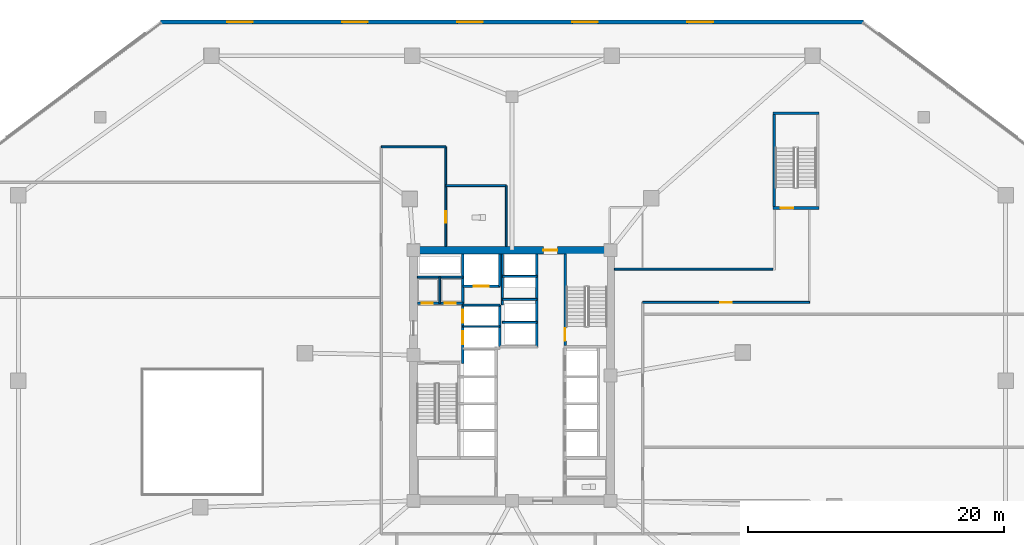
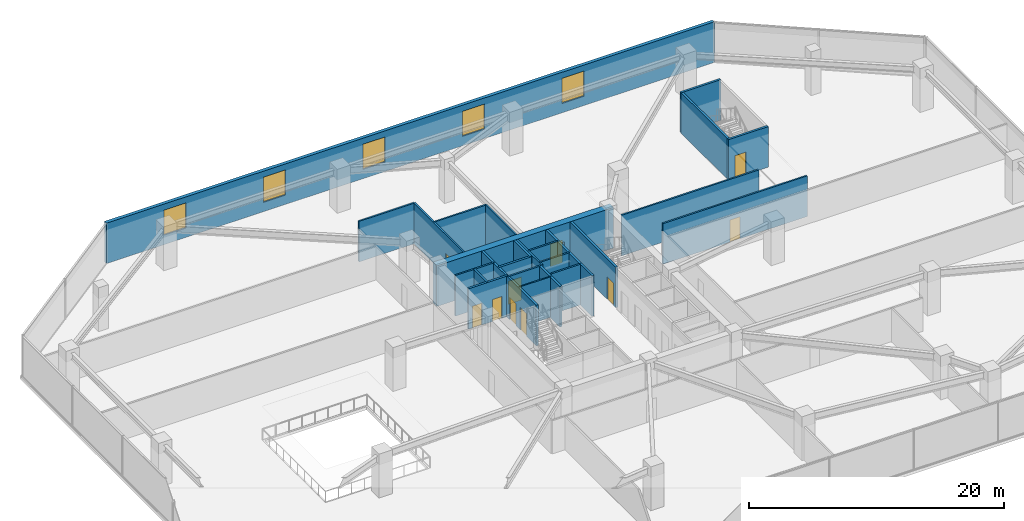
# One storey, part 12 of 22: 26 walls, 10 doors, 5 windows, 15 openings.
"""IFC4 building model written with IfcOpenShell, lengths in metres."""

import ifcopenshell
import ifcopenshell.guid

model = None  # the IFC model being written
_history = None  # IfcOwnerHistory: only IFC2X3 demands one
_inside = {}  # id of a spatial element -> (the spatial element, [elements in it])
_under = {}  # id of a project, library or spatial element -> (it, [spatial elements below it])
_declared = {}  # id of a project -> (the project, [libraries it declares])
_typed = {}  # id of a type object -> (the type object, [elements of that type])
_made_of = {}  # id of a material, layer set ... -> (it, [elements and type objects made of it])


def new_model(schema):
    """Start an empty IFC model of exactly this schema.

    Asked for "IFC4X3", IfcOpenShell would pick the latest addendum, in which some entities
    have other attributes; the version numbers below select the first issue.
    IFC2X3 requires an IfcOwnerHistory on every rooted entity: one is made here for all.
    """
    global model, _history
    if schema == "IFC4X3":
        model = ifcopenshell.file(schema_version=(4, 3, 0, 0))
    else:
        model = ifcopenshell.file(schema=schema)
    _inside.clear()
    _under.clear()
    _declared.clear()
    _typed.clear()
    _made_of.clear()
    _history = None
    if model.schema == "IFC2X3":
        org = make("IfcOrganization", Name="unknown")
        user = make(
            "IfcPersonAndOrganization",
            ThePerson=make("IfcPerson", FamilyName="unknown"),
            TheOrganization=org,
        )
        app = make(
            "IfcApplication",
            ApplicationDeveloper=org,
            Version="unknown",
            ApplicationFullName="unknown",
            ApplicationIdentifier="unknown",
        )
        _history = make(
            "IfcOwnerHistory",
            OwningUser=user,
            OwningApplication=app,
            ChangeAction="ADDED",
            CreationDate=0,
        )
    return model


def make(cls, **values):
    """One entity of the class cls with the attributes given. An attribute that is None is left unset."""
    return model.create_entity(
        cls, **{name: value for name, value in values.items() if value is not None}
    )


def rooted(cls, **values):
    """An entity with a GlobalId (a new one), such as an element, a storey or a relation."""
    return make(cls, GlobalId=ifcopenshell.guid.new(), OwnerHistory=_history, **values)


def si_unit(unit_type, name, prefix=None):
    """IfcSIUnit, for example si_unit("LENGTHUNIT", "METRE", prefix="MILLI")."""
    return make("IfcSIUnit", UnitType=unit_type, Prefix=prefix, Name=name)


def assignment(units):
    """IfcUnitAssignment: the units of a project."""
    return None if units is None else make("IfcUnitAssignment", Units=units)


def point(xyz):
    """IfcCartesianPoint."""
    return None if xyz is None else make("IfcCartesianPoint", Coordinates=xyz)


def direction(xyz):
    """IfcDirection."""
    return None if xyz is None else make("IfcDirection", DirectionRatios=xyz)


def frame(location, z_axis=None, x_axis=None):
    """IfcAxis2Placement3D, a coordinate frame: its origin and axes. An axis left out is left unset."""
    return make(
        "IfcAxis2Placement3D",
        Location=point(location),
        Axis=direction(z_axis),
        RefDirection=direction(x_axis),
    )


def frame_2d(location, x_axis=None):
    """IfcAxis2Placement2D, a coordinate frame in the plane: its origin and x axis."""
    return make(
        "IfcAxis2Placement2D", Location=point(location), RefDirection=direction(x_axis)
    )


def origin():
    """The frame at (0, 0, 0) with its axes left unset."""
    return frame((0.0, 0.0, 0.0))


def place(relative_to, where):
    """IfcLocalPlacement: puts the frame where relative to a parent placement (None: the world)."""
    return make(
        "IfcLocalPlacement", PlacementRelTo=relative_to, RelativePlacement=where
    )


def context(
    kind, dimensions, precision=None, world=None, true_north=None, identifier=None
):
    """IfcGeometricRepresentationContext, for example the 3D "Model" context."""
    return make(
        "IfcGeometricRepresentationContext",
        ContextIdentifier=identifier,
        ContextType=kind,
        CoordinateSpaceDimension=dimensions,
        Precision=precision,
        WorldCoordinateSystem=world,
        TrueNorth=true_north,
    )


def subcontext(parent, identifier, kind, view, scale=None):
    """IfcGeometricRepresentationSubContext, for example "Body" below "Model"."""
    return make(
        "IfcGeometricRepresentationSubContext",
        ContextIdentifier=identifier,
        ContextType=kind,
        ParentContext=parent,
        TargetScale=scale,
        TargetView=view,
    )


def project(units=None, contexts=None):
    """IfcProject with its units and contexts."""
    return rooted(
        "IfcProject",
        Name="project",
        RepresentationContexts=contexts,
        UnitsInContext=assignment(units),
    )


def spatial(cls, under=None, at=None, **own):
    """A site, building, storey or space (cls), placed at a placement, below another one or the project."""
    s = rooted(cls, ObjectPlacement=at, **own)
    if under is not None:
        _under.setdefault(under.id(), (under, []))[1].append(s)
    return s


def profile(cls, at=None, kind="AREA", **sizes):
    """A parametric profile (cls). Its sizes go by their IFC names, for example OverallWidth=200.0."""
    return make(cls, ProfileType=kind, Position=at, **sizes)


def rectangle(**sizes):
    """IfcRectangleProfileDef."""
    return profile("IfcRectangleProfileDef", **sizes)


def extrude(swept, where, along, depth):
    """IfcExtrudedAreaSolid: the profile swept, set in the frame where, extruded along a direction by depth."""
    return make(
        "IfcExtrudedAreaSolid",
        SweptArea=swept,
        Position=where,
        ExtrudedDirection=direction(along),
        Depth=depth,
    )


def shape(context_of_items, identifier, shape_type, items):
    """IfcShapeRepresentation: the items that make up one representation, for example the "Body"."""
    return make(
        "IfcShapeRepresentation",
        ContextOfItems=context_of_items,
        RepresentationIdentifier=identifier,
        RepresentationType=shape_type,
        Items=items,
    )


def material(Name=None, Category=None):
    """IfcMaterial."""
    return make("IfcMaterial", Name=Name, Category=Category)


def layer(
    of_material, thickness, ventilated=None, Name=None, Category=None, Priority=None
):
    """IfcMaterialLayer: one layer of a wall or slab, of a material (None: an air gap)."""
    return make(
        "IfcMaterialLayer",
        Material=of_material,
        LayerThickness=thickness,
        IsVentilated=ventilated,
        Name=Name,
        Category=Category,
        Priority=Priority,
    )


def layer_set(layers, Name=None):
    """IfcMaterialLayerSet."""
    return make("IfcMaterialLayerSet", MaterialLayers=layers, LayerSetName=Name)


def made_of(thing, what):
    """Note that an element or type object is made of a material, layer set ...; save() writes the relation."""
    if what is not None:
        _made_of.setdefault(what.id(), (what, []))[1].append(thing)
    return thing


def type_object(cls, material=None, **own):
    """A type object (cls), such as IfcWallType, which elements share."""
    return made_of(rooted(cls, **own), material)


def element(
    cls,
    number,
    at=None,
    inside=None,
    cuts=None,
    type_object=None,
    material=None,
    context=None,
    identifier="Body",
    shape_type=None,
    held_by="IfcProductDefinitionShape",
    body=None,
    shapes=None,
    **own,
):
    """One element of the class cls, such as IfcWall. Its Tag is "e" and its number.

    at: its placement. inside: the storey or other place that contains it. cuts: it is an
    opening in that element (IfcRelVoidsElement). A single representation is given by context,
    identifier, shape_type and body (its items); several are given by shapes. held_by: the class
    of the entity that holds the representations. save() writes the other relations.
    """
    e = rooted(cls, Tag="e%d" % number, ObjectPlacement=at, **own)
    if body is not None:
        shapes = [shape(context, identifier, shape_type, body)]
    if shapes is not None:
        e.Representation = make(held_by, Representations=shapes)
    if inside is not None:
        _inside.setdefault(inside.id(), (inside, []))[1].append(e)
    if cuts is not None:
        rooted(
            "IfcRelVoidsElement", RelatingBuildingElement=cuts, RelatedOpeningElement=e
        )
    if type_object is not None:
        _typed.setdefault(type_object.id(), (type_object, []))[1].append(e)
    return made_of(e, material)


def fill(opening, filler):
    """IfcRelFillsElement: the door or window that sits in an opening."""
    return rooted(
        "IfcRelFillsElement",
        RelatingOpeningElement=opening,
        RelatedBuildingElement=filler,
    )


def aggregate(whole, parts):
    """IfcRelAggregates: a whole, such as a stair, and the parts it consists of."""
    return rooted("IfcRelAggregates", RelatingObject=whole, RelatedObjects=parts)


def save(model, path):
    """Write the relations noted so far, then the file.

    IfcRelAggregates (storeys below a building ...), IfcRelContainedInSpatialStructure (elements
    in a storey), IfcRelDefinesByType, IfcRelAssociatesMaterial and IfcRelDeclares: one each for
    every whole, place, type object, material and project.
    """
    for whole, parts in _under.values():
        aggregate(whole, parts)
    for where, things in _inside.values():
        rooted(
            "IfcRelContainedInSpatialStructure",
            RelatedElements=things,
            RelatingStructure=where,
        )
    for kind, things in _typed.values():
        rooted("IfcRelDefinesByType", RelatedObjects=things, RelatingType=kind)
    for what, things in _made_of.values():
        rooted("IfcRelAssociatesMaterial", RelatedObjects=things, RelatingMaterial=what)
    for by, libraries in _declared.values():
        rooted("IfcRelDeclares", RelatingContext=by, RelatedDefinitions=libraries)
    model.write(path)


model = new_model("IFC4")

# Units and contexts
model_context = context("Model", 3, precision=1e-05, world=origin(), true_north=direction((0.0, 1.0)))
body_context = subcontext(model_context, "Body", "Model", "MODEL_VIEW")
ifc_project = project(units=[si_unit("LENGTHUNIT", "METRE"), si_unit("AREAUNIT", "SQUARE_METRE"), si_unit("VOLUMEUNIT", "CUBIC_METRE"), si_unit("PLANEANGLEUNIT", "RADIAN"), si_unit("MASSUNIT", "GRAM", prefix="KILO")], contexts=[model_context])

# Site, building, storey
site_placement = place(None, origin())
site = spatial("IfcSite", under=ifc_project, at=site_placement, CompositionType="ELEMENT")
building_placement = place(site_placement, origin())
building = spatial("IfcBuilding", under=site, at=building_placement, Name="Savorim Split Tower", CompositionType="ELEMENT")
storey_placement = place(building_placement, frame((0.0, 0.0, 17.60009765625)))
storey = spatial("IfcBuildingStorey", under=building, at=storey_placement, Name="L04", CompositionType="ELEMENT", Elevation=17.60009765625)

# Wall, opening, door
ifc_material_1 = material(Name="Concrete C60/75", Category="concrete")
ifc_layer_1 = layer(ifc_material_1, 0.60009765625)
ifc_layer_set_1 = layer_set([ifc_layer_1], Name="WAL-COR-SH600")
wall_type_1 = type_object("IfcWallType", Name="WAL-COR-SH600", PredefinedType="SHEAR", material=ifc_layer_set_1)
wall_1_placement = place(storey_placement, frame((8.0, 10.199951171875, 0.0), z_axis=(0.0, 0.0, 1.0), x_axis=(-1.0, 0.0, 0.0)))
wall_1 = element("IfcWall", 1, at=wall_1_placement, inside=storey, type_object=wall_type_1, Name="L04 Offset Core North Shear Wall", PredefinedType="SHEAR", context=body_context, shape_type="SweptSolid", body=[
    extrude(rectangle(XDim=16.0, YDim=0.60009765625, at=frame_2d((8.0, 0.0))), origin(), (0.0, 0.0, 1.0), 3.8798828125),
])
opening_1_placement = place(wall_1_placement, frame((4.449951171875, 0.0, 0.0)))
opening_1 = element("IfcOpeningElement", 2, at=opening_1_placement, cuts=wall_1, Name="Opening DI-03", PredefinedType="OPENING", context=body_context, shape_type="SweptSolid", body=[
    extrude(rectangle(XDim=1.10009765625, YDim=2.14990234375, at=frame_2d((0.550048828125, 1.074951171875))), frame((0.0, 0.31005859375, 0.0), z_axis=(0.0, -1.0, 0.0), x_axis=(1.0, 0.0, 0.0)), (0.0, 0.0, 1.0), 0.6201171875),
])
ifc_material_2 = material(Name="Timber Fire Door Leaf", Category="wood")
door_type_1 = type_object("IfcDoorType", Name="DOR-FIR-1100", OperationType="NOTDEFINED", PredefinedType="DOOR", material=ifc_material_2)
door_1_placement = place(opening_1_placement, origin())
door_1 = element("IfcDoor", 3, at=door_1_placement, inside=storey, type_object=door_type_1, Name="DOR-L04-COR-NLOB - L04 North Corridor Lobby Fire Door", OperationType="SINGLE_SWING_LEFT", OverallHeight=2.14990234375, OverallWidth=1.10009765625, PredefinedType="DOOR", context=body_context, shape_type="SweptSolid", body=[
    extrude(rectangle(XDim=1.10009765625, YDim=2.14990234375, at=frame_2d((0.550048828125, 1.074951171875))), frame((0.0, 0.02490234375, 0.0), z_axis=(0.0, -1.0, 0.0), x_axis=(1.0, 0.0, 0.0)), (0.0, 0.0, 1.0), 0.050048828125),
])
fill(opening_1, door_1)

# Wall, openings, windows
ifc_material_3 = material(Name="Concrete C50/60", Category="concrete")
ifc_layer_2 = layer(ifc_material_3, 0.300048828125)
ifc_layer_set_2 = layer_set([ifc_layer_2], Name="WAL-EXT-POD300")
wall_type_2 = type_object("IfcWallType", Name="WAL-EXT-POD300", PredefinedType="SOLIDWALL", material=ifc_layer_set_2)
wall_2_placement = place(storey_placement, frame((-27.47998046875, 28.0400390625, 0.0), z_axis=(0.0, 0.0, 1.0), x_axis=(1.0, 0.0, 0.0)))
wall_2 = element("IfcWall", 4, at=wall_2_placement, inside=storey, type_object=wall_type_2, Name="L04 North Podium Window Wall", PredefinedType="SOLIDWALL", context=body_context, shape_type="SweptSolid", body=[
    extrude(rectangle(XDim=54.9599609375, YDim=0.300048828125, at=frame_2d((27.47998046875, 0.0))), origin(), (0.0, 0.0, 1.0), 3.8798828125),
])
opening_2_placement = place(wall_2_placement, frame((5.199951171875, 0.0, 0.89990234375)))
opening_2 = element("IfcOpeningElement", 5, at=opening_2_placement, cuts=wall_2, Name="Opening WN-02", PredefinedType="OPENING", context=body_context, shape_type="SweptSolid", body=[
    extrude(rectangle(XDim=2.0, YDim=2.39990234375, at=frame_2d((1.0, 1.199951171875))), frame((0.0, 0.159912109375, 0.0), z_axis=(0.0, -1.0, 0.0), x_axis=(1.0, 0.0, 0.0)), (0.0, 0.0, 1.0), 0.320068359375),
])
opening_3_placement = place(wall_2_placement, frame((14.199951171875, 0.0, 0.89990234375)))
opening_3 = element("IfcOpeningElement", 6, at=opening_3_placement, cuts=wall_2, Name="Opening WN-02", PredefinedType="OPENING", context=body_context, shape_type="SweptSolid", body=[
    extrude(rectangle(XDim=2.0, YDim=2.39990234375, at=frame_2d((1.0, 1.199951171875))), frame((0.0, 0.159912109375, 0.0), z_axis=(0.0, -1.0, 0.0), x_axis=(1.0, 0.0, 0.0)), (0.0, 0.0, 1.0), 0.320068359375),
])
opening_4_placement = place(wall_2_placement, frame((23.199951171875, 0.0, 0.89990234375)))
opening_4 = element("IfcOpeningElement", 7, at=opening_4_placement, cuts=wall_2, Name="Opening WN-02", PredefinedType="OPENING", context=body_context, shape_type="SweptSolid", body=[
    extrude(rectangle(XDim=2.0, YDim=2.39990234375, at=frame_2d((1.0, 1.199951171875))), frame((0.0, 0.159912109375, 0.0), z_axis=(0.0, -1.0, 0.0), x_axis=(1.0, 0.0, 0.0)), (0.0, 0.0, 1.0), 0.320068359375),
])
opening_5_placement = place(wall_2_placement, frame((32.199951171875, 0.0, 0.89990234375)))
opening_5 = element("IfcOpeningElement", 8, at=opening_5_placement, cuts=wall_2, Name="Opening WN-02", PredefinedType="OPENING", context=body_context, shape_type="SweptSolid", body=[
    extrude(rectangle(XDim=2.0, YDim=2.39990234375, at=frame_2d((1.0, 1.199951171875))), frame((0.0, 0.159912109375, 0.0), z_axis=(0.0, -1.0, 0.0), x_axis=(1.0, 0.0, 0.0)), (0.0, 0.0, 1.0), 0.320068359375),
])
opening_6_placement = place(wall_2_placement, frame((41.199951171875, 0.0, 0.89990234375)))
opening_6 = element("IfcOpeningElement", 9, at=opening_6_placement, cuts=wall_2, Name="Opening WN-02", PredefinedType="OPENING", context=body_context, shape_type="SweptSolid", body=[
    extrude(rectangle(XDim=2.0, YDim=2.39990234375, at=frame_2d((1.0, 1.199951171875))), frame((0.0, 0.159912109375, 0.0), z_axis=(0.0, -1.0, 0.0), x_axis=(1.0, 0.0, 0.0)), (0.0, 0.0, 1.0), 0.320068359375),
])
ifc_material_4 = material(Name="Low-E Operable Double Glazing", Category="glass")
window_type = type_object("IfcWindowType", Name="WIN-POD-2000x2400", PartitioningType="DOUBLE_PANEL_VERTICAL", PredefinedType="WINDOW", material=ifc_material_4)
window_1_placement = place(opening_2_placement, origin())
window_1 = element("IfcWindow", 10, at=window_1_placement, inside=storey, type_object=window_type, Name="L04 North Podium Operable Window 1", OverallHeight=2.39990234375, OverallWidth=2.0, PartitioningType="SINGLE_PANEL", PredefinedType="WINDOW", context=body_context, shape_type="SweptSolid", body=[
    extrude(rectangle(XDim=2.0, YDim=2.39990234375, at=frame_2d((1.0, 1.199951171875))), frame((0.0, 0.030029296875, 0.0), z_axis=(0.0, -1.0, 0.0), x_axis=(1.0, 0.0, 0.0)), (0.0, 0.0, 1.0), 0.06005859375),
])
fill(opening_2, window_1)
window_2_placement = place(opening_3_placement, origin())
window_2 = element("IfcWindow", 11, at=window_2_placement, inside=storey, type_object=window_type, Name="L04 North Podium Operable Window 2", OverallHeight=2.39990234375, OverallWidth=2.0, PartitioningType="SINGLE_PANEL", PredefinedType="WINDOW", context=body_context, shape_type="SweptSolid", body=[
    extrude(rectangle(XDim=2.0, YDim=2.39990234375, at=frame_2d((1.0, 1.199951171875))), frame((0.0, 0.030029296875, 0.0), z_axis=(0.0, -1.0, 0.0), x_axis=(1.0, 0.0, 0.0)), (0.0, 0.0, 1.0), 0.06005859375),
])
fill(opening_3, window_2)
window_3_placement = place(opening_4_placement, origin())
window_3 = element("IfcWindow", 12, at=window_3_placement, inside=storey, type_object=window_type, Name="L04 North Podium Operable Window 3", OverallHeight=2.39990234375, OverallWidth=2.0, PartitioningType="SINGLE_PANEL", PredefinedType="WINDOW", context=body_context, shape_type="SweptSolid", body=[
    extrude(rectangle(XDim=2.0, YDim=2.39990234375, at=frame_2d((1.0, 1.199951171875))), frame((0.0, 0.030029296875, 0.0), z_axis=(0.0, -1.0, 0.0), x_axis=(1.0, 0.0, 0.0)), (0.0, 0.0, 1.0), 0.06005859375),
])
fill(opening_4, window_3)
window_4_placement = place(opening_5_placement, origin())
window_4 = element("IfcWindow", 13, at=window_4_placement, inside=storey, type_object=window_type, Name="L04 North Podium Operable Window 4", OverallHeight=2.39990234375, OverallWidth=2.0, PartitioningType="SINGLE_PANEL", PredefinedType="WINDOW", context=body_context, shape_type="SweptSolid", body=[
    extrude(rectangle(XDim=2.0, YDim=2.39990234375, at=frame_2d((1.0, 1.199951171875))), frame((0.0, 0.030029296875, 0.0), z_axis=(0.0, -1.0, 0.0), x_axis=(1.0, 0.0, 0.0)), (0.0, 0.0, 1.0), 0.06005859375),
])
fill(opening_5, window_4)
window_5_placement = place(opening_6_placement, origin())
window_5 = element("IfcWindow", 14, at=window_5_placement, inside=storey, type_object=window_type, Name="L04 North Podium Operable Window 5", OverallHeight=2.39990234375, OverallWidth=2.0, PartitioningType="SINGLE_PANEL", PredefinedType="WINDOW", context=body_context, shape_type="SweptSolid", body=[
    extrude(rectangle(XDim=2.0, YDim=2.39990234375, at=frame_2d((1.0, 1.199951171875))), frame((0.0, 0.030029296875, 0.0), z_axis=(0.0, -1.0, 0.0), x_axis=(1.0, 0.0, 0.0)), (0.0, 0.0, 1.0), 0.06005859375),
])
fill(opening_6, window_5)

# Wall, openings, doors
ifc_layer_3 = layer(ifc_material_3, 0.199951171875)
ifc_layer_set_3 = layer_set([ifc_layer_3], Name="WAL-INT-RC200")
wall_type_3 = type_object("IfcWallType", Name="WAL-INT-RC200", PredefinedType="SOLIDWALL", material=ifc_layer_set_3)
wall_3_placement = place(storey_placement, frame((-3.85009765625, 1.35009765625, 0.0), z_axis=(0.0, 0.0, 1.0), x_axis=(0.0, 1.0, 0.0)))
wall_3 = element("IfcWall", 15, at=wall_3_placement, inside=storey, type_object=wall_type_3, Name="L04 Partition W-L04-CR03", PredefinedType="SOLIDWALL", context=body_context, shape_type="SweptSolid", body=[
    extrude(rectangle(XDim=8.544921875, YDim=0.199951171875, at=frame_2d((4.2724609375, 0.0))), origin(), (0.0, 0.0, 1.0), 3.8798828125),
])
opening_7_placement = place(wall_3_placement, frame((1.5, 0.0, 0.0)))
opening_7 = element("IfcOpeningElement", 16, at=opening_7_placement, cuts=wall_3, Name="Opening LD-FFL", PredefinedType="OPENING", context=body_context, shape_type="SweptSolid", body=[
    extrude(rectangle(XDim=1.0, YDim=2.14990234375, at=frame_2d((0.5, 1.074951171875))), frame((0.0, 0.10986328125, 0.0), z_axis=(0.0, -1.0, 0.0), x_axis=(1.0, 0.0, 0.0)), (0.0, 0.0, 1.0), 0.219970703125),
])
opening_8_placement = place(wall_3_placement, frame((3.179931640625, 0.0, 0.0)))
opening_8 = element("IfcOpeningElement", 17, at=opening_8_placement, cuts=wall_3, Name="Opening LD-FFL", PredefinedType="OPENING", context=body_context, shape_type="SweptSolid", body=[
    extrude(rectangle(XDim=1.0, YDim=2.14990234375, at=frame_2d((0.5, 1.074951171875))), frame((0.0, 0.10986328125, 0.0), z_axis=(0.0, -1.0, 0.0), x_axis=(1.0, 0.0, 0.0)), (0.0, 0.0, 1.0), 0.219970703125),
])
ifc_material_5 = material(Name="Charcoal Anodised Aluminium", Category="aluminium")
door_type_2 = type_object("IfcDoorType", Name="DOR-SLD-LD1000", OperationType="NOTDEFINED", PredefinedType="DOOR", material=ifc_material_5)
door_2_placement = place(opening_7_placement, origin())
door_2 = element("IfcDoor", 18, at=door_2_placement, inside=storey, type_object=door_type_2, Name="DR-L04-LD-FFL1 - L04 Firefighting Lift FFL-1 Sliding Landing Door", OperationType="DOUBLE_DOOR_SLIDING", OverallHeight=2.14990234375, OverallWidth=1.0, PredefinedType="DOOR", context=body_context, shape_type="SweptSolid", body=[
    extrude(rectangle(XDim=1.0, YDim=2.14990234375, at=frame_2d((0.5, 1.074951171875))), frame((0.0, 0.02490234375, 0.0), z_axis=(0.0, -1.0, 0.0), x_axis=(1.0, 0.0, 0.0)), (0.0, 0.0, 1.0), 0.050048828125),
])
fill(opening_7, door_2)
door_3_placement = place(opening_8_placement, origin())
door_3 = element("IfcDoor", 19, at=door_3_placement, inside=storey, type_object=door_type_2, Name="DR-L04-LD-FFL2 - L04 Firefighting Lift FFL-2 Sliding Landing Door", OperationType="DOUBLE_DOOR_SLIDING", OverallHeight=2.14990234375, OverallWidth=1.0, PredefinedType="DOOR", context=body_context, shape_type="SweptSolid", body=[
    extrude(rectangle(XDim=1.0, YDim=2.14990234375, at=frame_2d((0.5, 1.074951171875))), frame((0.0, 0.02490234375, 0.0), z_axis=(0.0, -1.0, 0.0), x_axis=(1.0, 0.0, 0.0)), (0.0, 0.0, 1.0), 0.050048828125),
])
fill(opening_8, door_3)

wall_4_placement = place(storey_placement, frame((-7.39501953125, 6.050048828125, 0.0), z_axis=(0.0, 0.0, 1.0), x_axis=(1.0, 0.0, 0.0)))
wall_4 = element("IfcWall", 20, at=wall_4_placement, inside=storey, type_object=wall_type_3, Name="L04 Partition W-L04-CR04", PredefinedType="SOLIDWALL", context=body_context, shape_type="SweptSolid", body=[
    extrude(rectangle(XDim=3.544921875, YDim=0.199951171875, at=frame_2d((1.7724609375, 0.0))), origin(), (0.0, 0.0, 1.0), 3.8798828125),
])
opening_9_placement = place(wall_4_placement, frame((0.344970703125, 0.0, 0.0)))
opening_9 = element("IfcOpeningElement", 21, at=opening_9_placement, cuts=wall_4, Name="Opening DI-12", PredefinedType="OPENING", context=body_context, shape_type="SweptSolid", body=[
    extrude(rectangle(XDim=0.85009765625, YDim=2.10009765625, at=frame_2d((0.425048828125, 1.050048828125))), frame((0.0, 0.10986328125, 0.0), z_axis=(0.0, -1.0, 0.0), x_axis=(1.0, 0.0, 0.0)), (0.0, 0.0, 1.0), 0.219970703125),
])
opening_10_placement = place(wall_4_placement, frame((2.14501953125, 0.0, 0.0)))
opening_10 = element("IfcOpeningElement", 22, at=opening_10_placement, cuts=wall_4, Name="Opening DI-12", PredefinedType="OPENING", context=body_context, shape_type="SweptSolid", body=[
    extrude(rectangle(XDim=0.85009765625, YDim=2.10009765625, at=frame_2d((0.425048828125, 1.050048828125))), frame((0.0, 0.10986328125, 0.0), z_axis=(0.0, -1.0, 0.0), x_axis=(1.0, 0.0, 0.0)), (0.0, 0.0, 1.0), 0.219970703125),
])
ifc_material_6 = material(Name="Galvanised Painted Steel Balustrade", Category="steel")
door_type_3 = type_object("IfcDoorType", Name="DOR-RIS-850", OperationType="NOTDEFINED", PredefinedType="DOOR", material=ifc_material_6)
door_4_placement = place(opening_9_placement, origin())
door_4 = element("IfcDoor", 23, at=door_4_placement, inside=storey, type_object=door_type_3, Name="DR-L04-ELR - L04 Electrical Riser Access Door", OperationType="SINGLE_SWING_RIGHT", OverallHeight=2.10009765625, OverallWidth=0.85009765625, PredefinedType="DOOR", context=body_context, shape_type="SweptSolid", body=[
    extrude(rectangle(XDim=0.85009765625, YDim=2.10009765625, at=frame_2d((0.425048828125, 1.050048828125))), frame((0.0, 0.02490234375, 0.0), z_axis=(0.0, -1.0, 0.0), x_axis=(1.0, 0.0, 0.0)), (0.0, 0.0, 1.0), 0.050048828125),
])
fill(opening_9, door_4)
door_5_placement = place(opening_10_placement, origin())
door_5 = element("IfcDoor", 24, at=door_5_placement, inside=storey, type_object=door_type_3, Name="DR-L04-TLR - L04 Telecom Riser Access Door", OperationType="SINGLE_SWING_LEFT", OverallHeight=2.10009765625, OverallWidth=0.85009765625, PredefinedType="DOOR", context=body_context, shape_type="SweptSolid", body=[
    extrude(rectangle(XDim=0.85009765625, YDim=2.10009765625, at=frame_2d((0.425048828125, 1.050048828125))), frame((0.0, 0.02490234375, 0.0), z_axis=(0.0, -1.0, 0.0), x_axis=(1.0, 0.0, 0.0)), (0.0, 0.0, 1.0), 0.050048828125),
])
fill(opening_10, door_5)

# Wall, opening, door
wall_5_placement = place(storey_placement, frame((4.14990234375, 2.75, 0.0), z_axis=(0.0, 0.0, 1.0), x_axis=(0.0, 1.0, 0.0)))
wall_5 = element("IfcWall", 25, at=wall_5_placement, inside=storey, type_object=wall_type_3, Name="L04 Structural Shaft Wall W-L04-CR07", PredefinedType="SOLIDWALL", context=body_context, shape_type="SweptSolid", body=[
    extrude(rectangle(XDim=7.14990234375, YDim=0.199951171875, at=frame_2d((3.574951171875, 0.0))), origin(), (0.0, 0.0, 1.0), 3.8798828125),
])
opening_11_placement = place(wall_5_placement, frame((0.35009765625, 0.0, 0.0)))
opening_11 = element("IfcOpeningElement", 26, at=opening_11_placement, cuts=wall_5, Name="Opening DI-04", PredefinedType="OPENING", context=body_context, shape_type="SweptSolid", body=[
    extrude(rectangle(XDim=1.0, YDim=2.14990234375, at=frame_2d((0.5, 1.074951171875))), frame((0.0, 0.10986328125, 0.0), z_axis=(0.0, -1.0, 0.0), x_axis=(1.0, 0.0, 0.0)), (0.0, 0.0, 1.0), 0.219970703125),
])
door_type_4 = type_object("IfcDoorType", Name="DOR-FIR-1000", OperationType="NOTDEFINED", PredefinedType="DOOR", material=ifc_material_2)
door_6_placement = place(opening_11_placement, origin())
door_6 = element("IfcDoor", 27, at=door_6_placement, inside=storey, type_object=door_type_4, Name="DR-L04-ST2 - L04 Stair ST-2 Enclosure Door", OperationType="SINGLE_SWING_RIGHT", OverallHeight=2.14990234375, OverallWidth=1.0, PredefinedType="DOOR", context=body_context, shape_type="SweptSolid", body=[
    extrude(rectangle(XDim=1.0, YDim=2.14990234375, at=frame_2d((0.5, 1.074951171875))), frame((0.0, 0.02490234375, 0.0), z_axis=(0.0, -1.0, 0.0), x_axis=(1.0, 0.0, 0.0)), (0.0, 0.0, 1.0), 0.050048828125),
])
fill(opening_11, door_6)

# Wall
wall_6_placement = place(storey_placement, frame((-0.949951171875, 2.64990234375, 0.0), z_axis=(0.0, 0.0, 1.0), x_axis=(0.0, 1.0, 0.0)))
element("IfcWall", 28, at=wall_6_placement, inside=storey, type_object=wall_type_3, Name="L04 Partition W-L04-FFLW", PredefinedType="SOLIDWALL", context=body_context, shape_type="SweptSolid", body=[
    extrude(rectangle(XDim=3.27001953125, YDim=0.199951171875, at=frame_2d((1.635009765625, 0.0))), origin(), (0.0, 0.0, 1.0), 3.8798828125),
])

# Wall, opening, door
wall_7_placement = place(storey_placement, frame((-3.85009765625, 7.3798828125, 0.0), z_axis=(0.0, 0.0, 1.0), x_axis=(1.0, 0.0, 0.0)))
wall_7 = element("IfcWall", 29, at=wall_7_placement, inside=storey, type_object=wall_type_3, Name="L04 Partition W-L04-SVLS", PredefinedType="SOLIDWALL", context=body_context, shape_type="SweptSolid", body=[
    extrude(rectangle(XDim=2.900146484375, YDim=0.199951171875, at=frame_2d((1.4501953125, 0.0))), origin(), (0.0, 0.0, 1.0), 3.8798828125),
])
opening_12_placement = place(wall_7_placement, frame((0.85009765625, 0.0, 0.0)))
opening_12 = element("IfcOpeningElement", 30, at=opening_12_placement, cuts=wall_7, Name="Opening LD-SV", PredefinedType="OPENING", context=body_context, shape_type="SweptSolid", body=[
    extrude(rectangle(XDim=1.199951171875, YDim=2.199951171875, at=frame_2d((0.60009765625, 1.10009765625))), frame((0.0, 0.10986328125, 0.0), z_axis=(0.0, -1.0, 0.0), x_axis=(1.0, 0.0, 0.0)), (0.0, 0.0, 1.0), 0.219970703125),
])
door_type_5 = type_object("IfcDoorType", Name="DOR-SLD-SV1200", OperationType="NOTDEFINED", PredefinedType="DOOR", material=ifc_material_5)
door_7_placement = place(opening_12_placement, origin())
door_7 = element("IfcDoor", 31, at=door_7_placement, inside=storey, type_object=door_type_5, Name="DR-L04-LD-SVL1 - L04 Service Lift SVL-1 Sliding Landing Door", OperationType="DOUBLE_DOOR_SLIDING", OverallHeight=2.199951171875, OverallWidth=1.199951171875, PredefinedType="DOOR", context=body_context, shape_type="SweptSolid", body=[
    extrude(rectangle(XDim=1.199951171875, YDim=2.199951171875, at=frame_2d((0.60009765625, 1.10009765625))), frame((0.0, 0.02490234375, 0.0), z_axis=(0.0, -1.0, 0.0), x_axis=(1.0, 0.0, 0.0)), (0.0, 0.0, 1.0), 0.050048828125),
])
fill(opening_12, door_7)

# Walls
wall_8_placement = place(storey_placement, frame((-0.949951171875, 7.3798828125, 0.0), z_axis=(0.0, 0.0, 1.0), x_axis=(0.0, 1.0, 0.0)))
element("IfcWall", 32, at=wall_8_placement, inside=storey, type_object=wall_type_3, Name="L04 Partition W-L04-SVLE", PredefinedType="SOLIDWALL", context=body_context, shape_type="SweptSolid", body=[
    extrude(rectangle(XDim=2.51513671875, YDim=0.199951171875, at=frame_2d((1.257568359375, 0.0))), origin(), (0.0, 0.0, 1.0), 3.8798828125),
])
wall_9_placement = place(storey_placement, frame((1.949951171875, 2.64990234375, 0.0), z_axis=(0.0, 0.0, 1.0), x_axis=(0.0, 1.0, 0.0)))
element("IfcWall", 33, at=wall_9_placement, inside=storey, type_object=wall_type_3, Name="L04 Partition W-L04-B3FRONT", PredefinedType="SOLIDWALL", context=body_context, shape_type="SweptSolid", body=[
    extrude(rectangle(XDim=7.2451171875, YDim=0.199951171875, at=frame_2d((3.62255859375, 0.0))), origin(), (0.0, 0.0, 1.0), 3.8798828125),
])

# Wall, opening, door
wall_10_placement = place(storey_placement, frame((20.39990234375, 13.5, 0.0), z_axis=(0.0, 0.0, 1.0), x_axis=(1.0, 0.0, 0.0)))
wall_10 = element("IfcWall", 34, at=wall_10_placement, inside=storey, type_object=wall_type_3, Name="L04 Structural Shaft Wall W-L04-ST3S", PredefinedType="SOLIDWALL", context=body_context, shape_type="SweptSolid", body=[
    extrude(rectangle(XDim=3.60009765625, YDim=0.199951171875, at=frame_2d((1.800048828125, 0.0))), origin(), (0.0, 0.0, 1.0), 3.8798828125),
])
opening_13_placement = place(wall_10_placement, frame((0.60009765625, 0.0, 0.0)))
opening_13 = element("IfcOpeningElement", 35, at=opening_13_placement, cuts=wall_10, Name="Opening DI-04", PredefinedType="OPENING", context=body_context, shape_type="SweptSolid", body=[
    extrude(rectangle(XDim=1.0, YDim=2.14990234375, at=frame_2d((0.5, 1.074951171875))), frame((0.0, 0.10986328125, 0.0), z_axis=(0.0, -1.0, 0.0), x_axis=(1.0, 0.0, 0.0)), (0.0, 0.0, 1.0), 0.219970703125),
])
door_8_placement = place(opening_13_placement, origin())
door_8 = element("IfcDoor", 36, at=door_8_placement, inside=storey, type_object=door_type_4, Name="DR-L04-ST3 - L04 Stair ST-3 Enclosure Door", OperationType="SINGLE_SWING_RIGHT", OverallHeight=2.14990234375, OverallWidth=1.0, PredefinedType="DOOR", context=body_context, shape_type="SweptSolid", body=[
    extrude(rectangle(XDim=1.0, YDim=2.14990234375, at=frame_2d((0.5, 1.074951171875))), frame((0.0, 0.02490234375, 0.0), z_axis=(0.0, -1.0, 0.0), x_axis=(1.0, 0.0, 0.0)), (0.0, 0.0, 1.0), 0.050048828125),
])
fill(opening_13, door_8)

# Walls
wall_11_placement = place(storey_placement, frame((20.39990234375, 20.89990234375, 0.0), z_axis=(0.0, 0.0, 1.0), x_axis=(1.0, 0.0, 0.0)))
element("IfcWall", 37, at=wall_11_placement, inside=storey, type_object=wall_type_3, Name="L04 Structural Shaft Wall W-L04-ST3N", PredefinedType="SOLIDWALL", context=body_context, shape_type="SweptSolid", body=[
    extrude(rectangle(XDim=3.60009765625, YDim=0.199951171875, at=frame_2d((1.800048828125, 0.0))), origin(), (0.0, 0.0, 1.0), 3.8798828125),
])
wall_12_placement = place(storey_placement, frame((20.5, 13.60009765625, 0.0), z_axis=(0.0, 0.0, 1.0), x_axis=(0.0, 1.0, 0.0)))
element("IfcWall", 38, at=wall_12_placement, inside=storey, type_object=wall_type_3, Name="L04 Structural Shaft Wall W-L04-ST3W", PredefinedType="SOLIDWALL", context=body_context, shape_type="SweptSolid", body=[
    extrude(rectangle(XDim=7.199951171875, YDim=0.199951171875, at=frame_2d((3.60009765625, 0.0))), origin(), (0.0, 0.0, 1.0), 3.8798828125),
])
ifc_material_7 = material(Name="Acoustic Gypsum Partition Board")
ifc_layer_4 = layer(ifc_material_7, 0.1201171875)
ifc_layer_set_4 = layer_set([ifc_layer_4], Name="WAL-PAR-120")
wall_type_4 = type_object("IfcWallType", Name="WAL-PAR-120", PredefinedType="PARTITIONING", material=ifc_layer_set_4)
wall_13_placement = place(storey_placement, frame((-3.85009765625, 4.219970703125, 0.0), z_axis=(0.0, 0.0, 1.0), x_axis=(1.0, 0.0, 0.0)))
element("IfcWall", 39, at=wall_13_placement, inside=storey, type_object=wall_type_4, Name="L04 Partition W-L04-FFLD1", PredefinedType="PARTITIONING", context=body_context, shape_type="SweptSolid", body=[
    extrude(rectangle(XDim=2.900146484375, YDim=0.1201171875, at=frame_2d((1.4501953125, 0.0))), origin(), (0.0, 0.0, 1.0), 3.8798828125),
])
ifc_layer_5 = layer(ifc_material_7, 0.14990234375)
ifc_layer_set_5 = layer_set([ifc_layer_5], Name="WAL-PAR-150")
wall_type_5 = type_object("IfcWallType", Name="WAL-PAR-150", PredefinedType="PARTITIONING", material=ifc_layer_set_5)
wall_14_placement = place(storey_placement, frame((-7.39501953125, 8.10009765625, 0.0), z_axis=(0.0, 0.0, 1.0), x_axis=(1.0, 0.0, 0.0)))
element("IfcWall", 40, at=wall_14_placement, inside=storey, type_object=wall_type_5, Name="L04 Partition W-L04-CR05", PredefinedType="PARTITIONING", context=body_context, shape_type="SweptSolid", body=[
    extrude(rectangle(XDim=3.544921875, YDim=0.14990234375, at=frame_2d((1.7724609375, 0.0))), origin(), (0.0, 0.0, 1.0), 3.8798828125),
])
wall_15_placement = place(storey_placement, frame((-5.64990234375, 6.050048828125, 0.0), z_axis=(0.0, 0.0, 1.0), x_axis=(0.0, 1.0, 0.0)))
element("IfcWall", 41, at=wall_15_placement, inside=storey, type_object=wall_type_5, Name="L04 Partition W-L04-CR06", PredefinedType="PARTITIONING", context=body_context, shape_type="SweptSolid", body=[
    extrude(rectangle(XDim=2.050048828125, YDim=0.14990234375, at=frame_2d((1.02490234375, 0.0))), origin(), (0.0, 0.0, 1.0), 3.8798828125),
])
wall_16_placement = place(storey_placement, frame((-3.85009765625, 5.89990234375, 0.0), z_axis=(0.0, 0.0, 1.0), x_axis=(1.0, 0.0, 0.0)))
element("IfcWall", 42, at=wall_16_placement, inside=storey, type_object=wall_type_5, Name="L04 Partition W-L04-FFLD2", PredefinedType="PARTITIONING", context=body_context, shape_type="SweptSolid", body=[
    extrude(rectangle(XDim=2.900146484375, YDim=0.14990234375, at=frame_2d((1.4501953125, 0.0))), origin(), (0.0, 0.0, 1.0), 3.8798828125),
])
wall_17_placement = place(storey_placement, frame((-0.75, 5.919921875, 0.0), z_axis=(0.0, 0.0, 1.0), x_axis=(0.0, 1.0, 0.0)))
element("IfcWall", 43, at=wall_17_placement, inside=storey, type_object=wall_type_5, Name="L04 Partition W-L04-B3WEST", PredefinedType="PARTITIONING", context=body_context, shape_type="SweptSolid", body=[
    extrude(rectangle(XDim=3.97509765625, YDim=0.14990234375, at=frame_2d((1.987548828125, 0.0))), origin(), (0.0, 0.0, 1.0), 3.8798828125),
])
for number, where, z_axis, x_axis, name in (
    (44, (-0.75, 4.550048828125, 0.0), (0.0, 0.0, 1.0), (1.0, 0.0, 0.0), "L04 Partition W-L04-B3DIV1"),
    (45, (-0.75, 6.35009765625, 0.0), (0.0, 0.0, 1.0), (1.0, 0.0, 0.0), "L04 Partition W-L04-B3DIV2"),
    (46, (-0.75, 8.14990234375, 0.0), (0.0, 0.0, 1.0), (1.0, 0.0, 0.0), "L04 Partition W-L04-B3DIV3"),
):
    element("IfcWall", number, at=place(storey_placement, frame(where, z_axis=z_axis, x_axis=x_axis)), inside=storey, type_object=wall_type_5, Name=name, PredefinedType="PARTITIONING", context=body_context, shape_type="SweptSolid", body=[
        extrude(rectangle(XDim=2.699951171875, YDim=0.14990234375, at=frame_2d((1.35009765625, 0.0))), origin(), (0.0, 0.0, 1.0), 3.8798828125),
    ])
wall_18_placement = place(storey_placement, frame((-10.219970703125, 18.280029296875, 0.0), z_axis=(0.0, 0.0, 1.0), x_axis=(1.0, 0.0, 0.0)))
element("IfcWall", 47, at=wall_18_placement, inside=storey, type_object=wall_type_5, Name="L04 Partition W-L04-PCNW", PredefinedType="PARTITIONING", context=body_context, shape_type="SweptSolid", body=[
    extrude(rectangle(XDim=5.0400390625, YDim=0.14990234375, at=frame_2d((2.52001953125, 0.0))), origin(), (0.0, 0.0, 1.0), 3.8798828125),
])

# Wall, opening, door
wall_19_placement = place(storey_placement, frame((-5.179931640625, 10.5, 0.0), z_axis=(0.0, 0.0, 1.0), x_axis=(0.0, 1.0, 0.0)))
wall_19 = element("IfcWall", 48, at=wall_19_placement, inside=storey, type_object=wall_type_5, Name="L04 Partition W-L04-PCNE0", PredefinedType="PARTITIONING", context=body_context, shape_type="SweptSolid", body=[
    extrude(rectangle(XDim=7.780029296875, YDim=0.14990234375, at=frame_2d((3.89013671875, 0.0))), origin(), (0.0, 0.0, 1.0), 3.8798828125),
])
opening_14_placement = place(wall_19_placement, frame((1.848876953125, 0.0, 0.0)))
opening_14 = element("IfcOpeningElement", 49, at=opening_14_placement, cuts=wall_19, Name="Opening DI-11", PredefinedType="OPENING", context=body_context, shape_type="SweptSolid", body=[
    extrude(rectangle(XDim=0.89990234375, YDim=2.10009765625, at=frame_2d((0.449951171875, 1.050048828125))), frame((0.0, 0.0849609375, 0.0), z_axis=(0.0, -1.0, 0.0), x_axis=(1.0, 0.0, 0.0)), (0.0, 0.0, 1.0), 0.169921875),
])
ifc_material_8 = material(Name="Oak Veneer Acoustic Door")
door_type_6 = type_object("IfcDoorType", Name="DOR-WC-900", OperationType="NOTDEFINED", PredefinedType="DOOR", material=ifc_material_8)
door_9_placement = place(opening_14_placement, origin())
door_9 = element("IfcDoor", 50, at=door_9_placement, inside=storey, type_object=door_type_6, Name="DR-L04-RM01 - L04 Public WC Entry Door", OperationType="SINGLE_SWING_RIGHT", OverallHeight=2.10009765625, OverallWidth=0.89990234375, PredefinedType="DOOR", context=body_context, shape_type="SweptSolid", body=[
    extrude(rectangle(XDim=0.89990234375, YDim=2.10009765625, at=frame_2d((0.449951171875, 1.050048828125))), frame((0.0, 0.02490234375, 0.0), z_axis=(0.0, -1.0, 0.0), x_axis=(1.0, 0.0, 0.0)), (0.0, 0.0, 1.0), 0.050048828125),
])
fill(opening_14, door_9)

wall_20_placement = place(storey_placement, frame((10.219970703125, 6.1201171875, 0.0), z_axis=(0.0, 0.0, 1.0), x_axis=(1.0, 0.0, 0.0)))
wall_20 = element("IfcWall", 51, at=wall_20_placement, inside=storey, type_object=wall_type_5, Name="L04 Partition W-L04-PCNE", PredefinedType="PARTITIONING", context=body_context, shape_type="SweptSolid", body=[
    extrude(rectangle(XDim=13.06005859375, YDim=0.14990234375, at=frame_2d((6.530029296875, 0.0))), origin(), (0.0, 0.0, 1.0), 3.8798828125),
])
opening_15_placement = place(wall_20_placement, frame((6.080078125, 0.0, 0.0)))
opening_15 = element("IfcOpeningElement", 52, at=opening_15_placement, cuts=wall_20, Name="Opening DI-06", PredefinedType="OPENING", context=body_context, shape_type="SweptSolid", body=[
    extrude(rectangle(XDim=0.89990234375, YDim=2.10009765625, at=frame_2d((0.449951171875, 1.050048828125))), frame((0.0, 0.0849609375, 0.0), z_axis=(0.0, -1.0, 0.0), x_axis=(1.0, 0.0, 0.0)), (0.0, 0.0, 1.0), 0.169921875),
])
door_type_7 = type_object("IfcDoorType", Name="DOR-FIR-900", OperationType="NOTDEFINED", PredefinedType="DOOR", material=ifc_material_2)
door_10_placement = place(opening_15_placement, origin())
door_10 = element("IfcDoor", 53, at=door_10_placement, inside=storey, type_object=door_type_7, Name="DR-L04-RM07 - L04 Co-Working Commons Entry Door", OperationType="SINGLE_SWING_RIGHT", OverallHeight=2.10009765625, OverallWidth=0.89990234375, PredefinedType="DOOR", context=body_context, shape_type="SweptSolid", body=[
    extrude(rectangle(XDim=0.89990234375, YDim=2.10009765625, at=frame_2d((0.449951171875, 1.050048828125))), frame((0.0, 0.02490234375, 0.0), z_axis=(0.0, -1.0, 0.0), x_axis=(1.0, 0.0, 0.0)), (0.0, 0.0, 1.0), 0.050048828125),
])
fill(opening_15, door_10)

# Walls
wall_21_placement = place(storey_placement, frame((8.0, 8.719970703125, 0.0), z_axis=(0.0, 0.0, 1.0), x_axis=(1.0, 0.0, 0.0)))
element("IfcWall", 54, at=wall_21_placement, inside=storey, type_object=wall_type_5, Name="L04 Partition W-L04-PCN2", PredefinedType="PARTITIONING", context=body_context, shape_type="SweptSolid", body=[
    extrude(rectangle(XDim=12.39990234375, YDim=0.14990234375, at=frame_2d((6.199951171875, 0.0))), origin(), (0.0, 0.0, 1.0), 3.8798828125),
])
wall_22_placement = place(storey_placement, frame((-0.449951171875, 10.5, 0.0), z_axis=(0.0, 0.0, 1.0), x_axis=(0.0, 1.0, 0.0)))
element("IfcWall", 55, at=wall_22_placement, inside=storey, type_object=wall_type_5, Name="L04 Partition W-L04-PWCE", PredefinedType="PARTITIONING", context=body_context, shape_type="SweptSolid", body=[
    extrude(rectangle(XDim=4.75, YDim=0.14990234375, at=frame_2d((2.375, 0.0))), origin(), (0.0, 0.0, 1.0), 3.8798828125),
])
wall_23_placement = place(storey_placement, frame((-5.179931640625, 15.25, 0.0), z_axis=(0.0, 0.0, 1.0), x_axis=(1.0, 0.0, 0.0)))
element("IfcWall", 56, at=wall_23_placement, inside=storey, type_object=wall_type_5, Name="L04 Partition W-L04-PWCN", PredefinedType="PARTITIONING", context=body_context, shape_type="SweptSolid", body=[
    extrude(rectangle(XDim=4.72998046875, YDim=0.14990234375, at=frame_2d((2.364990234375, 0.0))), origin(), (0.0, 0.0, 1.0), 3.8798828125),
])

save(model, "model.ifc")
